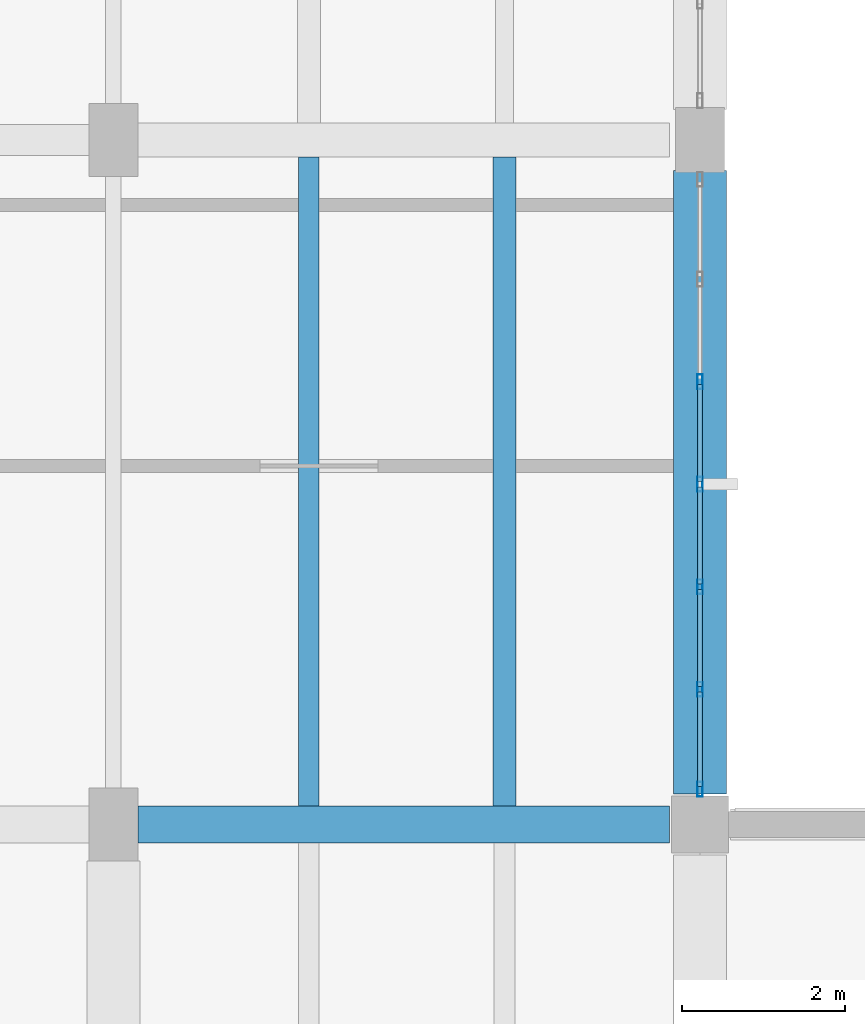
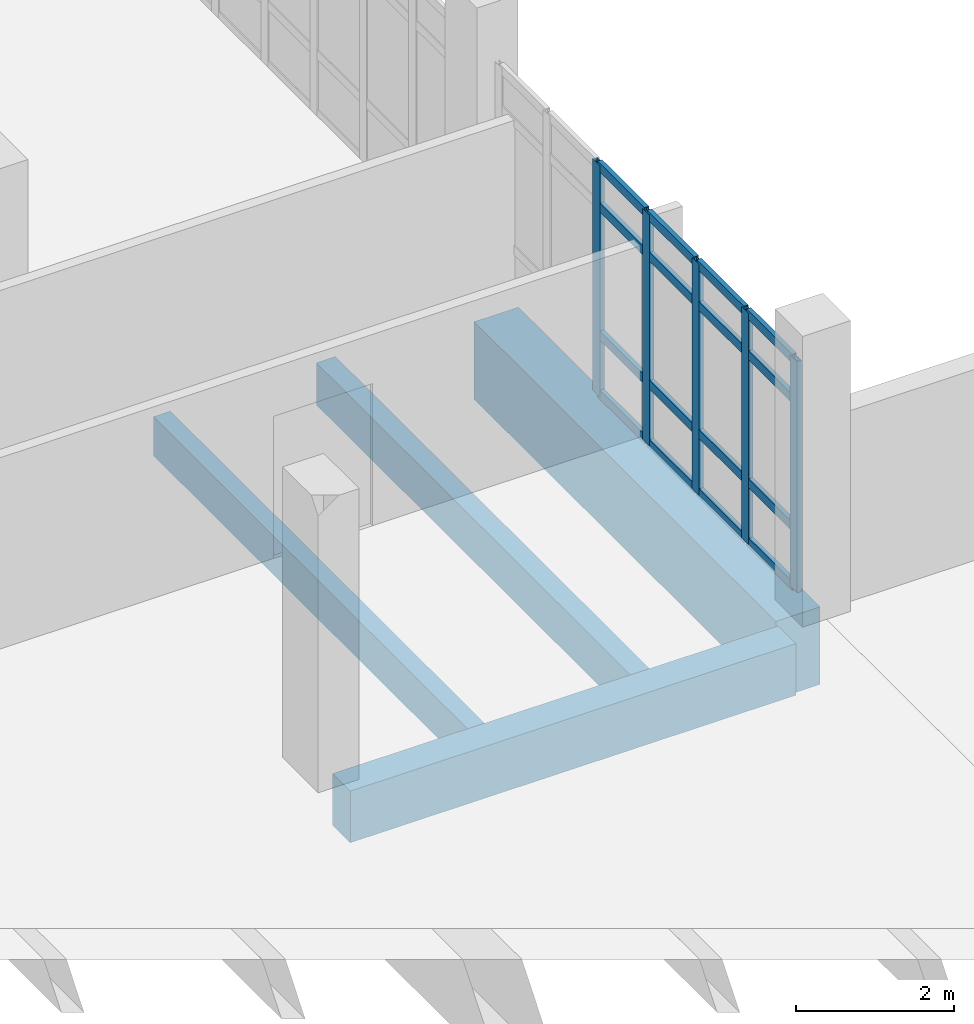
# One storey, part 75 of 134: 21 members, 4 beams, 1 element without a shape of its own.
"""IFC4 building model written with IfcOpenShell, lengths in metres."""

from ifc_helpers import new_model, si_unit, direction, frame, origin, origin_2d, place, context, subcontext, project, spatial, rectangle, hollow_rectangle, extrude, material, material_profile, profile_set, type_object, element, aggregate, save


model = new_model("IFC4")

# Units and contexts
model_context = context("Model", 3, precision=1e-05, world=origin(), true_north=direction((0.0, 1.0)))
body_context = subcontext(model_context, "Body", "Model", "MODEL_VIEW")
ifc_project = project(units=[si_unit("LENGTHUNIT", "METRE"), si_unit("AREAUNIT", "SQUARE_METRE"), si_unit("VOLUMEUNIT", "CUBIC_METRE"), si_unit("PLANEANGLEUNIT", "RADIAN"), si_unit("MASSUNIT", "GRAM", prefix="KILO")], contexts=[model_context])

# Site, building, storey
site_placement = place(None, origin())
site = spatial("IfcSite", under=ifc_project, at=site_placement, CompositionType="ELEMENT")
building_placement = place(site_placement, origin())
building = spatial("IfcBuilding", under=site, at=building_placement, Name="Kalluvel Institute of Natural Sciences", CompositionType="ELEMENT")
storey_placement = place(building_placement, frame((0.0, 0.0, 5.39990234375)))
storey = spatial("IfcBuildingStorey", under=building, at=storey_placement, Name="L01", CompositionType="ELEMENT", Elevation=5.39990234375)

# Beams
ifc_material_1 = material(Name="Concrete M40", Category="concrete")
ifc_material_profile_1 = material_profile(ifc_material_1, rectangle(XDim=0.449951171875, YDim=0.800048828125, at=origin_2d()), Name="RCB 450x800")
ifc_profile_set_1 = profile_set([ifc_material_profile_1], Name="Concrete M40")
beam_type_1 = type_object("IfcBeamType", Name="BM-RC450x800", PredefinedType="BEAM", material=ifc_profile_set_1)
beam_1_placement = place(storey_placement, frame((107.89990234375, 111.199951171875, -0.719970703125), z_axis=(1.0, 0.0, 0.0), x_axis=(0.0, 1.0, 0.0)))
element("IfcBeam", 1, at=beam_1_placement, inside=storey, type_object=beam_type_1, Name="L01 girder GIR-L01-EW-X1076-Y1112", PredefinedType="BEAM", context=body_context, shape_type="SweptSolid", body=[
    extrude(rectangle(XDim=0.449951171875, YDim=0.800048828125, at=origin_2d()), origin(), (0.0, 0.0, 1.0), 6.525146484375),
])
ifc_material_2 = material(Name="Concrete M50", Category="concrete")
ifc_material_profile_2 = material_profile(ifc_material_2, rectangle(XDim=0.64990234375, YDim=1.199951171875, at=origin_2d()), Name="RCB 650x1200")
ifc_profile_set_2 = profile_set([ifc_material_profile_2], Name="Concrete M50")
beam_type_2 = type_object("IfcBeamType", Name="BM-RC650x1200", PredefinedType="BEAM", material=ifc_profile_set_2)
beam_2_placement = place(storey_placement, frame((114.800048828125, 111.574951171875, -0.9599609375), z_axis=(0.0, 1.0, 0.0), x_axis=(-1.0, 0.0, 0.0)))
element("IfcBeam", 2, at=beam_2_placement, inside=storey, type_object=beam_type_2, Name="L01 girder GIR-L01-NS-X1148-Y1112", PredefinedType="BEAM", context=body_context, shape_type="SweptSolid", body=[
    extrude(rectangle(XDim=0.64990234375, YDim=1.199951171875, at=origin_2d()), origin(), (0.0, 0.0, 1.0), 7.650146484375),
])

# Curtain wall, members
ifc_material_3 = material(Name="Aluminium AW-6063 T6", Category="aluminium")
curtain_wall_type = type_object("IfcCurtainWallType", Name="CW-WET-45", PredefinedType="USERDEFINED", material=ifc_material_3)
curtain_wall_placement = place(storey_placement, origin())
curtain_wall = element("IfcCurtainWall", 3, at=curtain_wall_placement, inside=storey, type_object=curtain_wall_type, Name="L01 Gothic lancet curtain wall CWA-L01-X1148-Y1116", ObjectType="UNITISED LANCET FACADE", PredefinedType="USERDEFINED")
ifc_material_profile_3 = material_profile(ifc_material_3, hollow_rectangle(XDim=0.06494140625, YDim=0.179931640625, WallThickness=0.00439453125, at=origin_2d()), Name="CWM 65x180")
ifc_profile_set_3 = profile_set([ifc_material_profile_3], Name="Aluminium AW-6063 T6")
member_type_1 = type_object("IfcMemberType", Name="CWM-65x180", PredefinedType="MULLION", material=ifc_profile_set_3)
member_1_placement = place(storey_placement, frame((114.800048828125, 111.632568359375, 0.0), z_axis=(0.0, 0.0, 1.0), x_axis=(-1.0, 0.0, 0.0)))
member_1 = element("IfcMember", 4, at=member_1_placement, type_object=member_type_1, Name="CW-01 mullion 1", PredefinedType="MULLION", context=body_context, shape_type="SweptSolid", body=[
    extrude(hollow_rectangle(XDim=0.06494140625, YDim=0.179931640625, WallThickness=0.00439453125, at=origin_2d()), origin(), (0.0, 0.0, 1.0), 3.580078125),
])
member_2_placement = place(storey_placement, frame((114.800048828125, 112.8583984375, 0.0), z_axis=(0.0, 0.0, 1.0), x_axis=(-1.0, 0.0, 0.0)))
member_2 = element("IfcMember", 5, at=member_2_placement, type_object=member_type_1, Name="CW-01 mullion 2", PredefinedType="MULLION", context=body_context, shape_type="SweptSolid", body=[
    extrude(hollow_rectangle(XDim=0.06494140625, YDim=0.179931640625, WallThickness=0.00439453125, at=origin_2d()), origin(), (0.0, 0.0, 1.0), 3.580078125),
])
member_3_placement = place(storey_placement, frame((114.800048828125, 114.11669921875, 0.0), z_axis=(0.0, 0.0, 1.0), x_axis=(-1.0, 0.0, 0.0)))
member_3 = element("IfcMember", 6, at=member_3_placement, type_object=member_type_1, Name="CW-01 mullion 3", PredefinedType="MULLION", context=body_context, shape_type="SweptSolid", body=[
    extrude(hollow_rectangle(XDim=0.06494140625, YDim=0.179931640625, WallThickness=0.00439453125, at=origin_2d()), origin(), (0.0, 0.0, 1.0), 3.580078125),
])
member_4_placement = place(storey_placement, frame((114.800048828125, 115.375, 0.0), z_axis=(0.0, 0.0, 1.0), x_axis=(-1.0, 0.0, 0.0)))
member_4 = element("IfcMember", 7, at=member_4_placement, type_object=member_type_1, Name="CW-01 mullion 4", PredefinedType="MULLION", context=body_context, shape_type="SweptSolid", body=[
    extrude(hollow_rectangle(XDim=0.06494140625, YDim=0.179931640625, WallThickness=0.00439453125, at=origin_2d()), origin(), (0.0, 0.0, 1.0), 3.580078125),
])
member_5_placement = place(storey_placement, frame((114.800048828125, 116.63330078125, 0.0), z_axis=(0.0, 0.0, 1.0), x_axis=(-1.0, 0.0, 0.0)))
member_5 = element("IfcMember", 8, at=member_5_placement, type_object=member_type_1, Name="CW-01 mullion 5", PredefinedType="MULLION", context=body_context, shape_type="SweptSolid", body=[
    extrude(hollow_rectangle(XDim=0.06494140625, YDim=0.179931640625, WallThickness=0.00439453125, at=origin_2d()), origin(), (0.0, 0.0, 1.0), 3.580078125),
])
ifc_material_profile_4 = material_profile(ifc_material_3, hollow_rectangle(XDim=0.06494140625, YDim=0.139892578125, WallThickness=0.00439453125, at=origin_2d()), Name="CWT 65x140")
ifc_profile_set_4 = profile_set([ifc_material_profile_4], Name="Aluminium AW-6063 T6")
member_type_2 = type_object("IfcMemberType", Name="CWT-65x140", PredefinedType="USERDEFINED", material=ifc_profile_set_4)
member_6_placement = place(storey_placement, frame((114.800048828125, 111.6650390625, 0.03271484375), z_axis=(0.0, 1.0, 0.0), x_axis=(-1.0, 0.0, 0.0)))
member_6 = element("IfcMember", 9, at=member_6_placement, type_object=member_type_2, Name="CW-01 transom 1.1", ObjectType="TRANSOM", PredefinedType="USERDEFINED", context=body_context, shape_type="SweptSolid", body=[
    extrude(hollow_rectangle(XDim=0.06494140625, YDim=0.139892578125, WallThickness=0.00439453125, at=origin_2d()), origin(), (0.0, 0.0, 1.0), 1.160888671875),
])
member_7_placement = place(storey_placement, frame((114.800048828125, 111.6650390625, 0.9501953125), z_axis=(0.0, 1.0, 0.0), x_axis=(-1.0, 0.0, 0.0)))
member_7 = element("IfcMember", 10, at=member_7_placement, type_object=member_type_2, Name="CW-01 transom 1.2", ObjectType="TRANSOM", PredefinedType="USERDEFINED", context=body_context, shape_type="SweptSolid", body=[
    extrude(hollow_rectangle(XDim=0.06494140625, YDim=0.139892578125, WallThickness=0.00439453125, at=origin_2d()), origin(), (0.0, 0.0, 1.0), 1.160888671875),
])
member_8_placement = place(storey_placement, frame((114.800048828125, 111.6650390625, 2.93017578125), z_axis=(0.0, 1.0, 0.0), x_axis=(-1.0, 0.0, 0.0)))
member_8 = element("IfcMember", 11, at=member_8_placement, type_object=member_type_2, Name="CW-01 transom 1.3", ObjectType="TRANSOM", PredefinedType="USERDEFINED", context=body_context, shape_type="SweptSolid", body=[
    extrude(hollow_rectangle(XDim=0.06494140625, YDim=0.139892578125, WallThickness=0.00439453125, at=origin_2d()), origin(), (0.0, 0.0, 1.0), 1.160888671875),
])
member_9_placement = place(storey_placement, frame((114.800048828125, 111.6650390625, 3.547607421875), z_axis=(0.0, 1.0, 0.0), x_axis=(-1.0, 0.0, 0.0)))
member_9 = element("IfcMember", 12, at=member_9_placement, type_object=member_type_2, Name="CW-01 transom 1.4", ObjectType="TRANSOM", PredefinedType="USERDEFINED", context=body_context, shape_type="SweptSolid", body=[
    extrude(hollow_rectangle(XDim=0.06494140625, YDim=0.139892578125, WallThickness=0.00439453125, at=origin_2d()), origin(), (0.0, 0.0, 1.0), 1.160888671875),
])
member_10_placement = place(storey_placement, frame((114.800048828125, 112.890869140625, 0.03271484375), z_axis=(0.0, 1.0, 0.0), x_axis=(-1.0, 0.0, 0.0)))
member_10 = element("IfcMember", 13, at=member_10_placement, type_object=member_type_2, Name="CW-01 transom 2.1", ObjectType="TRANSOM", PredefinedType="USERDEFINED", context=body_context, shape_type="SweptSolid", body=[
    extrude(hollow_rectangle(XDim=0.06494140625, YDim=0.139892578125, WallThickness=0.00439453125, at=origin_2d()), origin(), (0.0, 0.0, 1.0), 1.193359375),
])
member_11_placement = place(storey_placement, frame((114.800048828125, 112.890869140625, 0.9501953125), z_axis=(0.0, 1.0, 0.0), x_axis=(-1.0, 0.0, 0.0)))
member_11 = element("IfcMember", 14, at=member_11_placement, type_object=member_type_2, Name="CW-01 transom 2.2", ObjectType="TRANSOM", PredefinedType="USERDEFINED", context=body_context, shape_type="SweptSolid", body=[
    extrude(hollow_rectangle(XDim=0.06494140625, YDim=0.139892578125, WallThickness=0.00439453125, at=origin_2d()), origin(), (0.0, 0.0, 1.0), 1.193359375),
])
member_12_placement = place(storey_placement, frame((114.800048828125, 112.890869140625, 2.93017578125), z_axis=(0.0, 1.0, 0.0), x_axis=(-1.0, 0.0, 0.0)))
member_12 = element("IfcMember", 15, at=member_12_placement, type_object=member_type_2, Name="CW-01 transom 2.3", ObjectType="TRANSOM", PredefinedType="USERDEFINED", context=body_context, shape_type="SweptSolid", body=[
    extrude(hollow_rectangle(XDim=0.06494140625, YDim=0.139892578125, WallThickness=0.00439453125, at=origin_2d()), origin(), (0.0, 0.0, 1.0), 1.193359375),
])
member_13_placement = place(storey_placement, frame((114.800048828125, 112.890869140625, 3.547607421875), z_axis=(0.0, 1.0, 0.0), x_axis=(-1.0, 0.0, 0.0)))
member_13 = element("IfcMember", 16, at=member_13_placement, type_object=member_type_2, Name="CW-01 transom 2.4", ObjectType="TRANSOM", PredefinedType="USERDEFINED", context=body_context, shape_type="SweptSolid", body=[
    extrude(hollow_rectangle(XDim=0.06494140625, YDim=0.139892578125, WallThickness=0.00439453125, at=origin_2d()), origin(), (0.0, 0.0, 1.0), 1.193359375),
])
member_14_placement = place(storey_placement, frame((114.800048828125, 114.149169921875, 0.03271484375), z_axis=(0.0, 1.0, 0.0), x_axis=(-1.0, 0.0, 0.0)))
member_14 = element("IfcMember", 17, at=member_14_placement, type_object=member_type_2, Name="CW-01 transom 3.1", ObjectType="TRANSOM", PredefinedType="USERDEFINED", context=body_context, shape_type="SweptSolid", body=[
    extrude(hollow_rectangle(XDim=0.06494140625, YDim=0.139892578125, WallThickness=0.00439453125, at=origin_2d()), origin(), (0.0, 0.0, 1.0), 1.193359375),
])
member_15_placement = place(storey_placement, frame((114.800048828125, 114.149169921875, 0.9501953125), z_axis=(0.0, 1.0, 0.0), x_axis=(-1.0, 0.0, 0.0)))
member_15 = element("IfcMember", 18, at=member_15_placement, type_object=member_type_2, Name="CW-01 transom 3.2", ObjectType="TRANSOM", PredefinedType="USERDEFINED", context=body_context, shape_type="SweptSolid", body=[
    extrude(hollow_rectangle(XDim=0.06494140625, YDim=0.139892578125, WallThickness=0.00439453125, at=origin_2d()), origin(), (0.0, 0.0, 1.0), 1.193359375),
])
member_16_placement = place(storey_placement, frame((114.800048828125, 114.149169921875, 2.93017578125), z_axis=(0.0, 1.0, 0.0), x_axis=(-1.0, 0.0, 0.0)))
member_16 = element("IfcMember", 19, at=member_16_placement, type_object=member_type_2, Name="CW-01 transom 3.3", ObjectType="TRANSOM", PredefinedType="USERDEFINED", context=body_context, shape_type="SweptSolid", body=[
    extrude(hollow_rectangle(XDim=0.06494140625, YDim=0.139892578125, WallThickness=0.00439453125, at=origin_2d()), origin(), (0.0, 0.0, 1.0), 1.193359375),
])
member_17_placement = place(storey_placement, frame((114.800048828125, 114.149169921875, 3.547607421875), z_axis=(0.0, 1.0, 0.0), x_axis=(-1.0, 0.0, 0.0)))
member_17 = element("IfcMember", 20, at=member_17_placement, type_object=member_type_2, Name="CW-01 transom 3.4", ObjectType="TRANSOM", PredefinedType="USERDEFINED", context=body_context, shape_type="SweptSolid", body=[
    extrude(hollow_rectangle(XDim=0.06494140625, YDim=0.139892578125, WallThickness=0.00439453125, at=origin_2d()), origin(), (0.0, 0.0, 1.0), 1.193359375),
])
member_18_placement = place(storey_placement, frame((114.800048828125, 115.407470703125, 0.03271484375), z_axis=(0.0, 1.0, 0.0), x_axis=(-1.0, 0.0, 0.0)))
member_18 = element("IfcMember", 21, at=member_18_placement, type_object=member_type_2, Name="CW-01 transom 4.1", ObjectType="TRANSOM", PredefinedType="USERDEFINED", context=body_context, shape_type="SweptSolid", body=[
    extrude(hollow_rectangle(XDim=0.06494140625, YDim=0.139892578125, WallThickness=0.00439453125, at=origin_2d()), origin(), (0.0, 0.0, 1.0), 1.193359375),
])
member_19_placement = place(storey_placement, frame((114.800048828125, 115.407470703125, 0.9501953125), z_axis=(0.0, 1.0, 0.0), x_axis=(-1.0, 0.0, 0.0)))
member_19 = element("IfcMember", 22, at=member_19_placement, type_object=member_type_2, Name="CW-01 transom 4.2", ObjectType="TRANSOM", PredefinedType="USERDEFINED", context=body_context, shape_type="SweptSolid", body=[
    extrude(hollow_rectangle(XDim=0.06494140625, YDim=0.139892578125, WallThickness=0.00439453125, at=origin_2d()), origin(), (0.0, 0.0, 1.0), 1.193359375),
])
member_20_placement = place(storey_placement, frame((114.800048828125, 115.407470703125, 2.93017578125), z_axis=(0.0, 1.0, 0.0), x_axis=(-1.0, 0.0, 0.0)))
member_20 = element("IfcMember", 23, at=member_20_placement, type_object=member_type_2, Name="CW-01 transom 4.3", ObjectType="TRANSOM", PredefinedType="USERDEFINED", context=body_context, shape_type="SweptSolid", body=[
    extrude(hollow_rectangle(XDim=0.06494140625, YDim=0.139892578125, WallThickness=0.00439453125, at=origin_2d()), origin(), (0.0, 0.0, 1.0), 1.193359375),
])
member_21_placement = place(storey_placement, frame((114.800048828125, 115.407470703125, 3.547607421875), z_axis=(0.0, 1.0, 0.0), x_axis=(-1.0, 0.0, 0.0)))
member_21 = element("IfcMember", 24, at=member_21_placement, type_object=member_type_2, Name="CW-01 transom 4.4", ObjectType="TRANSOM", PredefinedType="USERDEFINED", context=body_context, shape_type="SweptSolid", body=[
    extrude(hollow_rectangle(XDim=0.06494140625, YDim=0.139892578125, WallThickness=0.00439453125, at=origin_2d()), origin(), (0.0, 0.0, 1.0), 1.193359375),
])
aggregate(curtain_wall, [member_1, member_2, member_3, member_4, member_5, member_6, member_7, member_8, member_9, member_10, member_11, member_12, member_13, member_14, member_15, member_16, member_17, member_18, member_19, member_20, member_21])

# Beams
ifc_material_profile_5 = material_profile(ifc_material_1, rectangle(XDim=0.25, YDim=0.60009765625, at=origin_2d()), Name="WAF 250x600")
ifc_profile_set_5 = profile_set([ifc_material_profile_5], Name="Concrete M40")
beam_type_3 = type_object("IfcBeamType", Name="WJ-250x600", PredefinedType="JOIST", material=ifc_profile_set_5)
beam_3_placement = place(storey_placement, frame((110.0, 111.425048828125, -0.619873046875), z_axis=(0.0, 1.0, 0.0), x_axis=(-1.0, 0.0, 0.0)))
element("IfcBeam", 25, at=beam_3_placement, inside=storey, type_object=beam_type_3, Name="L01 waffle joist RIB-L01-0139", PredefinedType="JOIST", context=body_context, shape_type="SweptSolid", body=[
    extrude(rectangle(XDim=0.25, YDim=0.60009765625, at=origin_2d()), origin(), (0.0, 0.0, 1.0), 7.96484375),
])
ifc_material_profile_6 = material_profile(ifc_material_2, rectangle(XDim=0.280029296875, YDim=0.64990234375, at=origin_2d()), Name="WAF 280x650")
ifc_profile_set_6 = profile_set([ifc_material_profile_6], Name="Concrete M50")
beam_type_4 = type_object("IfcBeamType", Name="WJ-280x650", PredefinedType="JOIST", material=ifc_profile_set_6)
beam_4_placement = place(storey_placement, frame((112.39990234375, 111.425048828125, -0.64501953125), z_axis=(0.0, 1.0, 0.0), x_axis=(-1.0, 0.0, 0.0)))
element("IfcBeam", 26, at=beam_4_placement, inside=storey, type_object=beam_type_4, Name="L01 waffle joist RIB-L01-0140", PredefinedType="JOIST", context=body_context, shape_type="SweptSolid", body=[
    extrude(rectangle(XDim=0.280029296875, YDim=0.64990234375, at=origin_2d()), origin(), (0.0, 0.0, 1.0), 7.96484375),
])

save(model, "model.ifc")
